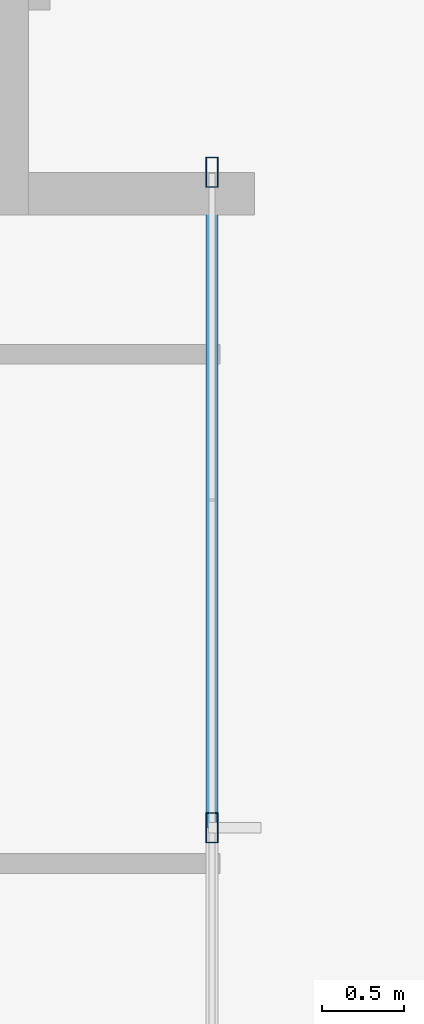
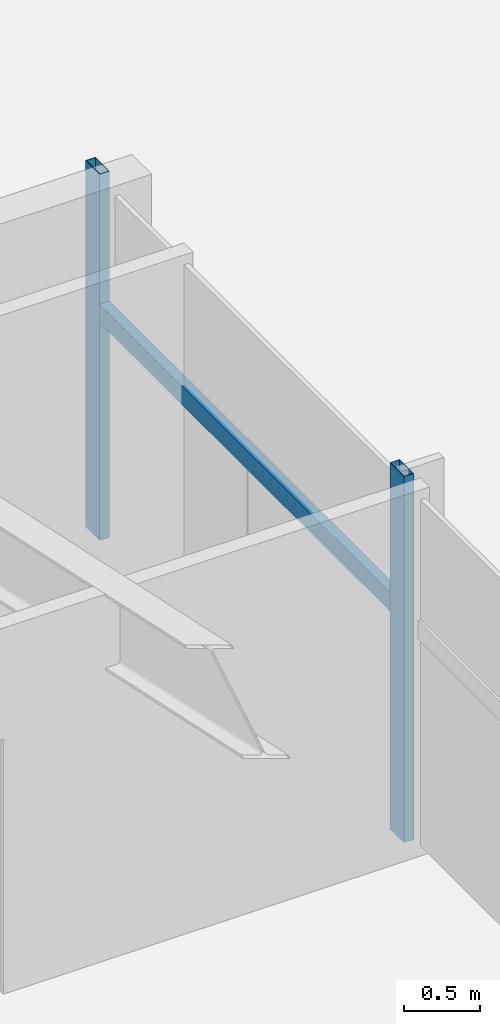
# One storey, part 17 of 26: 3 members, 1 element without a shape of its own.
"""IFC4 building model written with IfcOpenShell, lengths in metres."""

from ifc_helpers import new_model, si_unit, direction, frame, origin, origin_2d, place, context, subcontext, project, spatial, hollow_rectangle, extrude, source, transform, mapped, material, material_profile, profile_set, type_object, type_shapes, element, aggregate, save


model = new_model("IFC4")

# Units and contexts
model_context = context("Model", 3, precision=1e-05, world=origin(), true_north=direction((0.0, 1.0)))
body_context = subcontext(model_context, "Body", "Model", "MODEL_VIEW")
ifc_project = project(units=[si_unit("LENGTHUNIT", "METRE"), si_unit("AREAUNIT", "SQUARE_METRE"), si_unit("VOLUMEUNIT", "CUBIC_METRE"), si_unit("PLANEANGLEUNIT", "RADIAN"), si_unit("MASSUNIT", "GRAM", prefix="KILO")], contexts=[model_context])

# Site, building, storey
site_placement = place(None, origin())
site = spatial("IfcSite", under=ifc_project, at=site_placement, CompositionType="ELEMENT")
building_placement = place(site_placement, origin())
building = spatial("IfcBuilding", under=site, at=building_placement, Name="Astriad Promenade Condominiums", CompositionType="ELEMENT")
storey_placement = place(building_placement, frame((0.0, 0.0, 23.0)))
storey = spatial("IfcBuildingStorey", under=building, at=storey_placement, Name="L05", CompositionType="ELEMENT", Elevation=23.0)

# Curtain wall, members
ifc_material_1 = material(Name="Anodised aluminium Black Dark Glass Unitised", Category="aluminium")
curtain_wall_type = type_object("IfcCurtainWallType", Name="CW-B1-DARK", PredefinedType="USERDEFINED", material=ifc_material_1)
curtain_wall_placement = place(storey_placement, origin())
curtain_wall = element("IfcCurtainWall", 1, at=curtain_wall_placement, inside=storey, type_object=curtain_wall_type, Name="CW-L05-E", ObjectType="UNITISED_CURTAIN_WALL", PredefinedType="USERDEFINED")
ifc_material_2 = material(Name="Anodised aluminium 6063-T6 Black", Category="aluminium")
ifc_material_profile_1 = material_profile(ifc_material_2, hollow_rectangle(XDim=0.074951171875, YDim=0.18505859375, WallThickness=0.00439453125, at=origin_2d()), Name="ALU-MUL-75X185")
ifc_profile_set_1 = profile_set([ifc_material_profile_1], Name="Anodised aluminium 6063-T6 Black")
member_type_1 = type_object("IfcMemberType", Name="MUL-ALU-MUL-75X185", PredefinedType="MULLION", material=ifc_profile_set_1)
shared_shape_1 = source(origin(), body_context, "Body", "SweptSolid", [
    extrude(hollow_rectangle(XDim=0.074951171875, YDim=0.18505859375, WallThickness=0.00439453125, at=origin_2d()), origin(), (0.0, 0.0, 1.0), 2.93994140625),
])
type_shapes(member_type_1, [shared_shape_1])
member_1_placement = place(storey_placement, frame((59.669921875, 25.199951171875, 0.0), z_axis=(0.0, 0.0, 1.0), x_axis=(1.0, 0.0, 0.0)))
member_1 = element("IfcMember", 2, at=member_1_placement, type_object=member_type_1, Name="CW-L05-E-MUL-00", PredefinedType="MULLION", context=body_context, shape_type="MappedRepresentation", body=[
    mapped(shared_shape_1, transform((0.0, 0.0, 0.0), scale=1.0)),
])
member_2_placement = place(storey_placement, frame((59.669921875, 21.199951171875, 0.0), z_axis=(0.0, 0.0, 1.0), x_axis=(1.0, 0.0, 0.0)))
member_2 = element("IfcMember", 3, at=member_2_placement, type_object=member_type_1, Name="CW-L05-E-MUL-01", PredefinedType="MULLION", context=body_context, shape_type="MappedRepresentation", body=[
    mapped(shared_shape_1, transform((0.0, 0.0, 0.0), scale=1.0)),
])
ifc_material_profile_2 = material_profile(ifc_material_2, hollow_rectangle(XDim=0.074951171875, YDim=0.14990234375, WallThickness=0.004150390625, at=origin_2d()), Name="ALU-TRN-75X150")
ifc_profile_set_2 = profile_set([ifc_material_profile_2], Name="Anodised aluminium 6063-T6 Black")
member_type_2 = type_object("IfcMemberType", Name="TRN-ALU-TRN-75X150", PredefinedType="USERDEFINED", material=ifc_profile_set_2)
shared_shape_2 = source(origin(), body_context, "Body", "SweptSolid", [
    extrude(hollow_rectangle(XDim=0.074951171875, YDim=0.14990234375, WallThickness=0.004150390625, at=origin_2d()), origin(), (0.0, 0.0, 1.0), 4.0),
])
type_shapes(member_type_2, [shared_shape_2])
member_3_placement = place(storey_placement, frame((59.669921875, 25.199951171875, 1.82275390625), z_axis=(0.0, -1.0, 0.0), x_axis=(1.0, 0.0, 0.0)))
member_3 = element("IfcMember", 4, at=member_3_placement, type_object=member_type_2, Name="CW-L05-E-TRN-00-0", ObjectType="TRANSOM", PredefinedType="USERDEFINED", context=body_context, shape_type="MappedRepresentation", body=[
    mapped(shared_shape_2, transform((0.0, 0.0, 0.0), scale=1.0)),
])
aggregate(curtain_wall, [member_1, member_2, member_3])

save(model, "model.ifc")
